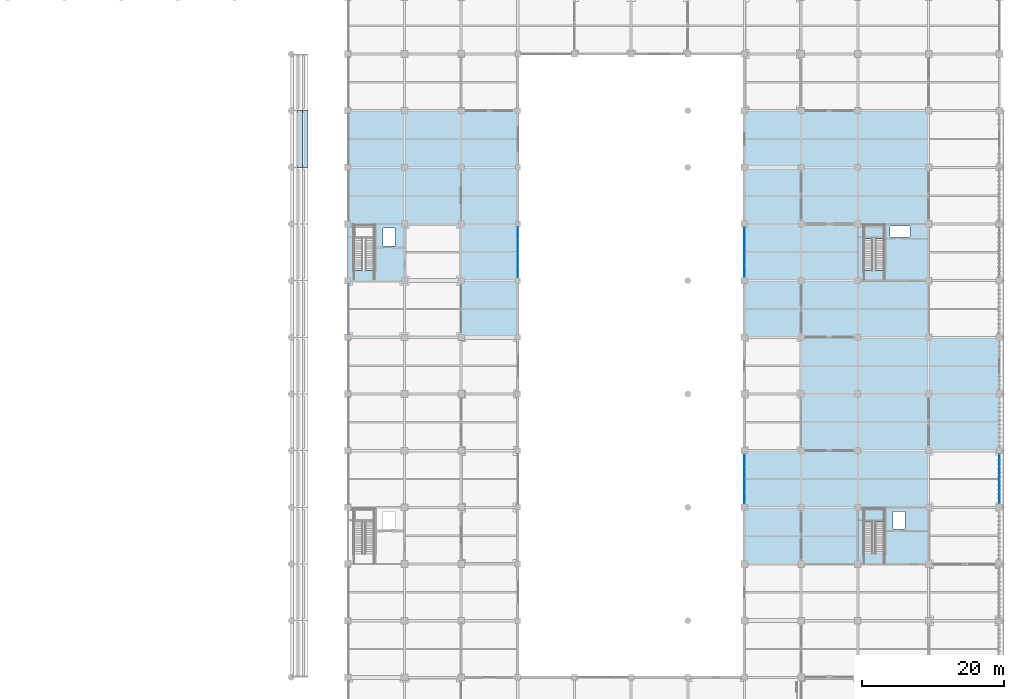
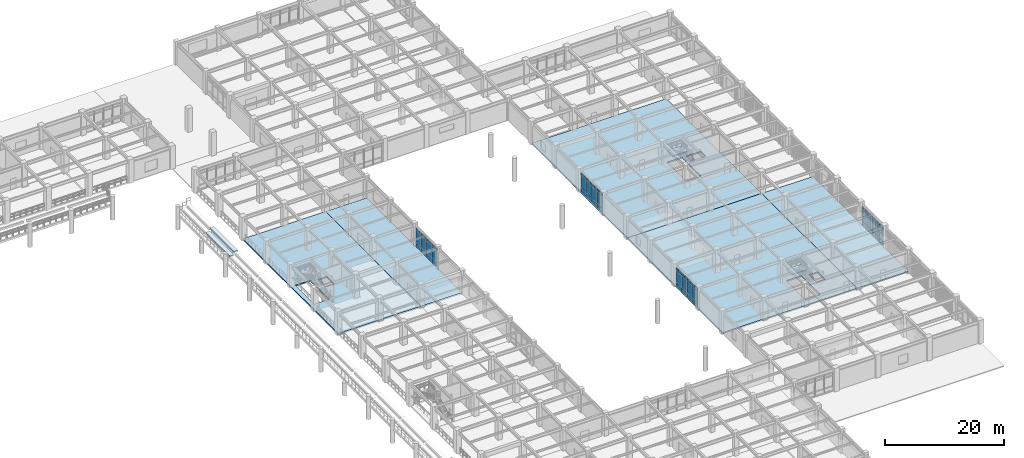
# One storey, part 61 of 109: 48 plates, 9 slabs, 6 elements without a shape of their own.
"""IFC4 building model written with IfcOpenShell, lengths in metres."""

from ifc_helpers import new_model, si_unit, direction, frame, origin, origin_2d, place, context, subcontext, project, spatial, polyline, rectangle, outline, extrude, material, layer, layer_set, type_object, element, aggregate, save


model = new_model("IFC4")

# Units and contexts
model_context = context("Model", 3, precision=1e-05, world=origin(), true_north=direction((0.0, 1.0)))
body_context = subcontext(model_context, "Body", "Model", "MODEL_VIEW")
ifc_project = project(units=[si_unit("LENGTHUNIT", "METRE"), si_unit("AREAUNIT", "SQUARE_METRE"), si_unit("VOLUMEUNIT", "CUBIC_METRE"), si_unit("PLANEANGLEUNIT", "RADIAN"), si_unit("MASSUNIT", "GRAM", prefix="KILO")], contexts=[model_context])

# Site, building, storey
site_placement = place(None, origin())
site = spatial("IfcSite", under=ifc_project, at=site_placement, CompositionType="ELEMENT")
building_placement = place(site_placement, origin())
building = spatial("IfcBuilding", under=site, at=building_placement, Name="Haebicheon Civic Stadium", CompositionType="ELEMENT")
storey_placement = place(building_placement, frame((0.0, 0.0, 9.60009765625)))
storey = spatial("IfcBuildingStorey", under=building, at=storey_placement, Name="L03", CompositionType="ELEMENT", Elevation=9.60009765625)

# Curtain wall, plates
ifc_material_1 = material(Name="Anodised aluminium and laminated glass", Category="aluminium")
ifc_layer_1 = layer(ifc_material_1, 0.179931640625, Name="Anodised aluminium and laminated glass")
ifc_layer_set_1 = layer_set([ifc_layer_1], Name="Anodised aluminium and laminated glass")
curtain_wall_type_1 = type_object("IfcCurtainWallType", Name="CW-7200x3930", PredefinedType="NOTDEFINED", material=ifc_layer_set_1)
curtain_wall_1_placement = place(storey_placement, origin())
curtain_wall_1 = element("IfcCurtainWall", 1, at=curtain_wall_1_placement, inside=storey, type_object=curtain_wall_type_1, material=ifc_layer_set_1, Name="L03 unitised curtain wall 089", PredefinedType="NOTDEFINED")
ifc_material_2 = material(Name="Double low-e laminated glass", Category="glass")
ifc_layer_2 = layer(ifc_material_2, 0.028076171875, Name="Double low-e laminated glass")
ifc_layer_set_2 = layer_set([ifc_layer_2], Name="Double low-e laminated glass")
plate_type_1 = type_object("IfcPlateType", Name="CWP-GLZ-28", PredefinedType="CURTAIN_PANEL", material=ifc_layer_set_2)
plate_1_placement = place(storey_placement, frame((168.0, 105.318115234375, 0.93505859375), z_axis=(0.0, 0.0, 1.0), x_axis=(0.0, 1.0, 0.0)))
plate_1 = element("IfcPlate", 2, at=plate_1_placement, type_object=plate_type_1, material=ifc_layer_set_2, Name="CW-L03-089 vision panel 1.2", PredefinedType="CURTAIN_PANEL", context=body_context, shape_type="SweptSolid", body=[
    extrude(rectangle(XDim=1.695068359375, YDim=0.028076171875, at=origin_2d()), origin(), (0.0, 0.0, 1.0), 2.409912109375),
])
plate_2_placement = place(storey_placement, frame((168.0, 107.10009765625, 0.93505859375), z_axis=(0.0, 0.0, 1.0), x_axis=(0.0, 1.0, 0.0)))
plate_2 = element("IfcPlate", 3, at=plate_2_placement, type_object=plate_type_1, material=ifc_layer_set_2, Name="CW-L03-089 vision panel 2.2", PredefinedType="CURTAIN_PANEL", context=body_context, shape_type="SweptSolid", body=[
    extrude(rectangle(XDim=1.72998046875, YDim=0.028076171875, at=origin_2d()), origin(), (0.0, 0.0, 1.0), 2.409912109375),
])
plate_3_placement = place(storey_placement, frame((168.0, 108.89990234375, 0.93505859375), z_axis=(0.0, 0.0, 1.0), x_axis=(0.0, 1.0, 0.0)))
plate_3 = element("IfcPlate", 4, at=plate_3_placement, type_object=plate_type_1, material=ifc_layer_set_2, Name="CW-L03-089 vision panel 3.2", PredefinedType="CURTAIN_PANEL", context=body_context, shape_type="SweptSolid", body=[
    extrude(rectangle(XDim=1.72998046875, YDim=0.028076171875, at=origin_2d()), origin(), (0.0, 0.0, 1.0), 2.409912109375),
])
plate_4_placement = place(storey_placement, frame((168.0, 110.681884765625, 0.93505859375), z_axis=(0.0, 0.0, 1.0), x_axis=(0.0, 1.0, 0.0)))
plate_4 = element("IfcPlate", 5, at=plate_4_placement, type_object=plate_type_1, material=ifc_layer_set_2, Name="CW-L03-089 vision panel 4.2", PredefinedType="CURTAIN_PANEL", context=body_context, shape_type="SweptSolid", body=[
    extrude(rectangle(XDim=1.695068359375, YDim=0.028076171875, at=origin_2d()), origin(), (0.0, 0.0, 1.0), 2.409912109375),
])

ifc_material_3 = material(Name="Anodised aluminium and laminated glass", Category="aluminium")
ifc_layer_3 = layer(ifc_material_3, 0.179931640625, Name="Anodised aluminium and laminated glass")
ifc_layer_set_3 = layer_set([ifc_layer_3], Name="Anodised aluminium and laminated glass")
curtain_wall_type_2 = type_object("IfcCurtainWallType", Name="CW-7050x3950", PredefinedType="NOTDEFINED", material=ifc_layer_set_3)
curtain_wall_2_placement = place(storey_placement, origin())
curtain_wall_2 = element("IfcCurtainWall", 6, at=curtain_wall_2_placement, inside=storey, type_object=curtain_wall_type_2, material=ifc_layer_set_3, Name="L03 unitised curtain wall 098", PredefinedType="NOTDEFINED")
plate_5_placement = place(storey_placement, frame((200.0, 73.3740234375, 0.93505859375), z_axis=(0.0, 0.0, 1.0), x_axis=(0.0, 1.0, 0.0)))
plate_5 = element("IfcPlate", 7, at=plate_5_placement, type_object=plate_type_1, material=ifc_layer_set_2, Name="CW-L03-098 vision panel 1.2", PredefinedType="CURTAIN_PANEL", context=body_context, shape_type="SweptSolid", body=[
    extrude(rectangle(XDim=1.656982421875, YDim=0.028076171875, at=origin_2d()), origin(), (0.0, 0.0, 1.0), 2.429931640625),
])
plate_6_placement = place(storey_placement, frame((200.0, 75.117919921875, 0.93505859375), z_axis=(0.0, 0.0, 1.0), x_axis=(0.0, 1.0, 0.0)))
plate_6 = element("IfcPlate", 8, at=plate_6_placement, type_object=plate_type_1, material=ifc_layer_set_2, Name="CW-L03-098 vision panel 2.2", PredefinedType="CURTAIN_PANEL", context=body_context, shape_type="SweptSolid", body=[
    extrude(rectangle(XDim=1.693115234375, YDim=0.028076171875, at=origin_2d()), origin(), (0.0, 0.0, 1.0), 2.429931640625),
])
plate_7_placement = place(storey_placement, frame((200.0, 76.882080078125, 0.93505859375), z_axis=(0.0, 0.0, 1.0), x_axis=(0.0, 1.0, 0.0)))
plate_7 = element("IfcPlate", 9, at=plate_7_placement, type_object=plate_type_1, material=ifc_layer_set_2, Name="CW-L03-098 vision panel 3.2", PredefinedType="CURTAIN_PANEL", context=body_context, shape_type="SweptSolid", body=[
    extrude(rectangle(XDim=1.693115234375, YDim=0.028076171875, at=origin_2d()), origin(), (0.0, 0.0, 1.0), 2.429931640625),
])
plate_8_placement = place(storey_placement, frame((200.0, 78.6259765625, 0.93505859375), z_axis=(0.0, 0.0, 1.0), x_axis=(0.0, 1.0, 0.0)))
plate_8 = element("IfcPlate", 10, at=plate_8_placement, type_object=plate_type_1, material=ifc_layer_set_2, Name="CW-L03-098 vision panel 4.2", PredefinedType="CURTAIN_PANEL", context=body_context, shape_type="SweptSolid", body=[
    extrude(rectangle(XDim=1.656982421875, YDim=0.028076171875, at=origin_2d()), origin(), (0.0, 0.0, 1.0), 2.429931640625),
])

curtain_wall_3_placement = place(storey_placement, origin())
curtain_wall_3 = element("IfcCurtainWall", 11, at=curtain_wall_3_placement, inside=storey, type_object=curtain_wall_type_2, material=ifc_layer_set_3, Name="L03 unitised curtain wall 099", PredefinedType="NOTDEFINED")
plate_9_placement = place(storey_placement, frame((200.0, 105.3740234375, 0.93505859375), z_axis=(0.0, 0.0, 1.0), x_axis=(0.0, 1.0, 0.0)))
plate_9 = element("IfcPlate", 12, at=plate_9_placement, type_object=plate_type_1, material=ifc_layer_set_2, Name="CW-L03-099 vision panel 1.2", PredefinedType="CURTAIN_PANEL", context=body_context, shape_type="SweptSolid", body=[
    extrude(rectangle(XDim=1.656982421875, YDim=0.028076171875, at=origin_2d()), origin(), (0.0, 0.0, 1.0), 2.429931640625),
])
plate_10_placement = place(storey_placement, frame((200.0, 107.117919921875, 0.93505859375), z_axis=(0.0, 0.0, 1.0), x_axis=(0.0, 1.0, 0.0)))
plate_10 = element("IfcPlate", 13, at=plate_10_placement, type_object=plate_type_1, material=ifc_layer_set_2, Name="CW-L03-099 vision panel 2.2", PredefinedType="CURTAIN_PANEL", context=body_context, shape_type="SweptSolid", body=[
    extrude(rectangle(XDim=1.693115234375, YDim=0.028076171875, at=origin_2d()), origin(), (0.0, 0.0, 1.0), 2.429931640625),
])
plate_11_placement = place(storey_placement, frame((200.0, 108.882080078125, 0.93505859375), z_axis=(0.0, 0.0, 1.0), x_axis=(0.0, 1.0, 0.0)))
plate_11 = element("IfcPlate", 14, at=plate_11_placement, type_object=plate_type_1, material=ifc_layer_set_2, Name="CW-L03-099 vision panel 3.2", PredefinedType="CURTAIN_PANEL", context=body_context, shape_type="SweptSolid", body=[
    extrude(rectangle(XDim=1.693115234375, YDim=0.028076171875, at=origin_2d()), origin(), (0.0, 0.0, 1.0), 2.429931640625),
])
plate_12_placement = place(storey_placement, frame((200.0, 110.6259765625, 0.93505859375), z_axis=(0.0, 0.0, 1.0), x_axis=(0.0, 1.0, 0.0)))
plate_12 = element("IfcPlate", 15, at=plate_12_placement, type_object=plate_type_1, material=ifc_layer_set_2, Name="CW-L03-099 vision panel 4.2", PredefinedType="CURTAIN_PANEL", context=body_context, shape_type="SweptSolid", body=[
    extrude(rectangle(XDim=1.656982421875, YDim=0.028076171875, at=origin_2d()), origin(), (0.0, 0.0, 1.0), 2.429931640625),
])

ifc_material_4 = material(Name="Anodised aluminium and laminated glass", Category="aluminium")
ifc_layer_4 = layer(ifc_material_4, 0.179931640625, Name="Anodised aluminium and laminated glass")
ifc_layer_set_4 = layer_set([ifc_layer_4], Name="Anodised aluminium and laminated glass")
curtain_wall_type_3 = type_object("IfcCurtainWallType", Name="CW-7050x3830", PredefinedType="NOTDEFINED", material=ifc_layer_set_4)
curtain_wall_4_placement = place(storey_placement, origin())
curtain_wall_4 = element("IfcCurtainWall", 16, at=curtain_wall_4_placement, inside=storey, type_object=curtain_wall_type_3, material=ifc_layer_set_4, Name="L03 unitised curtain wall 102", PredefinedType="NOTDEFINED")
plate_13_placement = place(storey_placement, frame((236.0, 73.3740234375, 0.934814453125), z_axis=(0.0, 0.0, 1.0), x_axis=(0.0, 1.0, 0.0)))
plate_13 = element("IfcPlate", 17, at=plate_13_placement, type_object=plate_type_1, material=ifc_layer_set_2, Name="CW-L03-102 vision panel 1.2", PredefinedType="CURTAIN_PANEL", context=body_context, shape_type="SweptSolid", body=[
    extrude(rectangle(XDim=1.656982421875, YDim=0.028076171875, at=origin_2d()), origin(), (0.0, 0.0, 1.0), 2.31005859375),
])
plate_14_placement = place(storey_placement, frame((236.0, 75.117919921875, 0.934814453125), z_axis=(0.0, 0.0, 1.0), x_axis=(0.0, 1.0, 0.0)))
plate_14 = element("IfcPlate", 18, at=plate_14_placement, type_object=plate_type_1, material=ifc_layer_set_2, Name="CW-L03-102 vision panel 2.2", PredefinedType="CURTAIN_PANEL", context=body_context, shape_type="SweptSolid", body=[
    extrude(rectangle(XDim=1.693115234375, YDim=0.028076171875, at=origin_2d()), origin(), (0.0, 0.0, 1.0), 2.31005859375),
])
plate_15_placement = place(storey_placement, frame((236.0, 76.882080078125, 0.934814453125), z_axis=(0.0, 0.0, 1.0), x_axis=(0.0, 1.0, 0.0)))
plate_15 = element("IfcPlate", 19, at=plate_15_placement, type_object=plate_type_1, material=ifc_layer_set_2, Name="CW-L03-102 vision panel 3.2", PredefinedType="CURTAIN_PANEL", context=body_context, shape_type="SweptSolid", body=[
    extrude(rectangle(XDim=1.693115234375, YDim=0.028076171875, at=origin_2d()), origin(), (0.0, 0.0, 1.0), 2.31005859375),
])
plate_16_placement = place(storey_placement, frame((236.0, 78.6259765625, 0.934814453125), z_axis=(0.0, 0.0, 1.0), x_axis=(0.0, 1.0, 0.0)))
plate_16 = element("IfcPlate", 20, at=plate_16_placement, type_object=plate_type_1, material=ifc_layer_set_2, Name="CW-L03-102 vision panel 4.2", PredefinedType="CURTAIN_PANEL", context=body_context, shape_type="SweptSolid", body=[
    extrude(rectangle(XDim=1.656982421875, YDim=0.028076171875, at=origin_2d()), origin(), (0.0, 0.0, 1.0), 2.31005859375),
])

# Plate
ifc_material_5 = material(Name="Anodised aluminium 6063-T6", Category="aluminium")
ifc_layer_5 = layer(ifc_material_5, 0.0439453125, Name="Anodised aluminium 6063-T6")
ifc_layer_set_5 = layer_set([ifc_layer_5], Name="Anodised aluminium 6063-T6")
plate_type_2 = type_object("IfcPlateType", Name="CWP-SPD-44", PredefinedType="CURTAIN_PANEL", material=ifc_layer_set_5)
plate_17_placement = place(storey_placement, frame((168.0, 105.318115234375, 0.034912109375), z_axis=(0.0, 0.0, 1.0), x_axis=(0.0, 1.0, 0.0)))
plate_17 = element("IfcPlate", 21, at=plate_17_placement, type_object=plate_type_2, material=ifc_layer_set_5, Name="CW-L03-089 spandrel panel 1.1", PredefinedType="CURTAIN_PANEL", context=body_context, shape_type="SweptSolid", body=[
    extrude(rectangle(XDim=1.695068359375, YDim=0.0439453125, at=origin_2d()), origin(), (0.0, 0.0, 1.0), 0.830078125),
])

plate_18_placement = place(storey_placement, frame((168.0, 105.318115234375, 3.414794921875), z_axis=(0.0, 0.0, 1.0), x_axis=(0.0, 1.0, 0.0)))
plate_18 = element("IfcPlate", 22, at=plate_18_placement, type_object=plate_type_2, material=ifc_layer_set_5, Name="CW-L03-089 spandrel panel 1.3", PredefinedType="CURTAIN_PANEL", context=body_context, shape_type="SweptSolid", body=[
    extrude(rectangle(XDim=1.695068359375, YDim=0.0439453125, at=origin_2d()), origin(), (0.0, 0.0, 1.0), 0.47998046875),
])

plate_19_placement = place(storey_placement, frame((168.0, 107.10009765625, 0.034912109375), z_axis=(0.0, 0.0, 1.0), x_axis=(0.0, 1.0, 0.0)))
plate_19 = element("IfcPlate", 23, at=plate_19_placement, type_object=plate_type_2, material=ifc_layer_set_5, Name="CW-L03-089 spandrel panel 2.1", PredefinedType="CURTAIN_PANEL", context=body_context, shape_type="SweptSolid", body=[
    extrude(rectangle(XDim=1.72998046875, YDim=0.0439453125, at=origin_2d()), origin(), (0.0, 0.0, 1.0), 0.830078125),
])

plate_20_placement = place(storey_placement, frame((168.0, 107.10009765625, 3.414794921875), z_axis=(0.0, 0.0, 1.0), x_axis=(0.0, 1.0, 0.0)))
plate_20 = element("IfcPlate", 24, at=plate_20_placement, type_object=plate_type_2, material=ifc_layer_set_5, Name="CW-L03-089 spandrel panel 2.3", PredefinedType="CURTAIN_PANEL", context=body_context, shape_type="SweptSolid", body=[
    extrude(rectangle(XDim=1.72998046875, YDim=0.0439453125, at=origin_2d()), origin(), (0.0, 0.0, 1.0), 0.47998046875),
])

plate_21_placement = place(storey_placement, frame((168.0, 108.89990234375, 0.034912109375), z_axis=(0.0, 0.0, 1.0), x_axis=(0.0, 1.0, 0.0)))
plate_21 = element("IfcPlate", 25, at=plate_21_placement, type_object=plate_type_2, material=ifc_layer_set_5, Name="CW-L03-089 spandrel panel 3.1", PredefinedType="CURTAIN_PANEL", context=body_context, shape_type="SweptSolid", body=[
    extrude(rectangle(XDim=1.72998046875, YDim=0.0439453125, at=origin_2d()), origin(), (0.0, 0.0, 1.0), 0.830078125),
])

plate_22_placement = place(storey_placement, frame((168.0, 108.89990234375, 3.414794921875), z_axis=(0.0, 0.0, 1.0), x_axis=(0.0, 1.0, 0.0)))
plate_22 = element("IfcPlate", 26, at=plate_22_placement, type_object=plate_type_2, material=ifc_layer_set_5, Name="CW-L03-089 spandrel panel 3.3", PredefinedType="CURTAIN_PANEL", context=body_context, shape_type="SweptSolid", body=[
    extrude(rectangle(XDim=1.72998046875, YDim=0.0439453125, at=origin_2d()), origin(), (0.0, 0.0, 1.0), 0.47998046875),
])

plate_23_placement = place(storey_placement, frame((168.0, 110.681884765625, 0.034912109375), z_axis=(0.0, 0.0, 1.0), x_axis=(0.0, 1.0, 0.0)))
plate_23 = element("IfcPlate", 27, at=plate_23_placement, type_object=plate_type_2, material=ifc_layer_set_5, Name="CW-L03-089 spandrel panel 4.1", PredefinedType="CURTAIN_PANEL", context=body_context, shape_type="SweptSolid", body=[
    extrude(rectangle(XDim=1.695068359375, YDim=0.0439453125, at=origin_2d()), origin(), (0.0, 0.0, 1.0), 0.830078125),
])

plate_24_placement = place(storey_placement, frame((168.0, 110.681884765625, 3.414794921875), z_axis=(0.0, 0.0, 1.0), x_axis=(0.0, 1.0, 0.0)))
plate_24 = element("IfcPlate", 28, at=plate_24_placement, type_object=plate_type_2, material=ifc_layer_set_5, Name="CW-L03-089 spandrel panel 4.3", PredefinedType="CURTAIN_PANEL", context=body_context, shape_type="SweptSolid", body=[
    extrude(rectangle(XDim=1.695068359375, YDim=0.0439453125, at=origin_2d()), origin(), (0.0, 0.0, 1.0), 0.47998046875),
])

aggregate(curtain_wall_1, [plate_17, plate_1, plate_18, plate_19, plate_2, plate_20, plate_21, plate_3, plate_22, plate_23, plate_4, plate_24])

plate_25_placement = place(storey_placement, frame((200.0, 73.3740234375, 0.034912109375), z_axis=(0.0, 0.0, 1.0), x_axis=(0.0, 1.0, 0.0)))
plate_25 = element("IfcPlate", 29, at=plate_25_placement, type_object=plate_type_2, material=ifc_layer_set_5, Name="CW-L03-098 spandrel panel 1.1", PredefinedType="CURTAIN_PANEL", context=body_context, shape_type="SweptSolid", body=[
    extrude(rectangle(XDim=1.656982421875, YDim=0.0439453125, at=origin_2d()), origin(), (0.0, 0.0, 1.0), 0.830078125),
])

plate_26_placement = place(storey_placement, frame((200.0, 73.3740234375, 3.434814453125), z_axis=(0.0, 0.0, 1.0), x_axis=(0.0, 1.0, 0.0)))
plate_26 = element("IfcPlate", 30, at=plate_26_placement, type_object=plate_type_2, material=ifc_layer_set_5, Name="CW-L03-098 spandrel panel 1.3", PredefinedType="CURTAIN_PANEL", context=body_context, shape_type="SweptSolid", body=[
    extrude(rectangle(XDim=1.656982421875, YDim=0.0439453125, at=origin_2d()), origin(), (0.0, 0.0, 1.0), 0.47998046875),
])

plate_27_placement = place(storey_placement, frame((200.0, 75.117919921875, 0.034912109375), z_axis=(0.0, 0.0, 1.0), x_axis=(0.0, 1.0, 0.0)))
plate_27 = element("IfcPlate", 31, at=plate_27_placement, type_object=plate_type_2, material=ifc_layer_set_5, Name="CW-L03-098 spandrel panel 2.1", PredefinedType="CURTAIN_PANEL", context=body_context, shape_type="SweptSolid", body=[
    extrude(rectangle(XDim=1.693115234375, YDim=0.0439453125, at=origin_2d()), origin(), (0.0, 0.0, 1.0), 0.830078125),
])

plate_28_placement = place(storey_placement, frame((200.0, 75.117919921875, 3.434814453125), z_axis=(0.0, 0.0, 1.0), x_axis=(0.0, 1.0, 0.0)))
plate_28 = element("IfcPlate", 32, at=plate_28_placement, type_object=plate_type_2, material=ifc_layer_set_5, Name="CW-L03-098 spandrel panel 2.3", PredefinedType="CURTAIN_PANEL", context=body_context, shape_type="SweptSolid", body=[
    extrude(rectangle(XDim=1.693115234375, YDim=0.0439453125, at=origin_2d()), origin(), (0.0, 0.0, 1.0), 0.47998046875),
])

plate_29_placement = place(storey_placement, frame((200.0, 76.882080078125, 0.034912109375), z_axis=(0.0, 0.0, 1.0), x_axis=(0.0, 1.0, 0.0)))
plate_29 = element("IfcPlate", 33, at=plate_29_placement, type_object=plate_type_2, material=ifc_layer_set_5, Name="CW-L03-098 spandrel panel 3.1", PredefinedType="CURTAIN_PANEL", context=body_context, shape_type="SweptSolid", body=[
    extrude(rectangle(XDim=1.693115234375, YDim=0.0439453125, at=origin_2d()), origin(), (0.0, 0.0, 1.0), 0.830078125),
])

plate_30_placement = place(storey_placement, frame((200.0, 76.882080078125, 3.434814453125), z_axis=(0.0, 0.0, 1.0), x_axis=(0.0, 1.0, 0.0)))
plate_30 = element("IfcPlate", 34, at=plate_30_placement, type_object=plate_type_2, material=ifc_layer_set_5, Name="CW-L03-098 spandrel panel 3.3", PredefinedType="CURTAIN_PANEL", context=body_context, shape_type="SweptSolid", body=[
    extrude(rectangle(XDim=1.693115234375, YDim=0.0439453125, at=origin_2d()), origin(), (0.0, 0.0, 1.0), 0.47998046875),
])

plate_31_placement = place(storey_placement, frame((200.0, 78.6259765625, 0.034912109375), z_axis=(0.0, 0.0, 1.0), x_axis=(0.0, 1.0, 0.0)))
plate_31 = element("IfcPlate", 35, at=plate_31_placement, type_object=plate_type_2, material=ifc_layer_set_5, Name="CW-L03-098 spandrel panel 4.1", PredefinedType="CURTAIN_PANEL", context=body_context, shape_type="SweptSolid", body=[
    extrude(rectangle(XDim=1.656982421875, YDim=0.0439453125, at=origin_2d()), origin(), (0.0, 0.0, 1.0), 0.830078125),
])

plate_32_placement = place(storey_placement, frame((200.0, 78.6259765625, 3.434814453125), z_axis=(0.0, 0.0, 1.0), x_axis=(0.0, 1.0, 0.0)))
plate_32 = element("IfcPlate", 36, at=plate_32_placement, type_object=plate_type_2, material=ifc_layer_set_5, Name="CW-L03-098 spandrel panel 4.3", PredefinedType="CURTAIN_PANEL", context=body_context, shape_type="SweptSolid", body=[
    extrude(rectangle(XDim=1.656982421875, YDim=0.0439453125, at=origin_2d()), origin(), (0.0, 0.0, 1.0), 0.47998046875),
])

aggregate(curtain_wall_2, [plate_25, plate_5, plate_26, plate_27, plate_6, plate_28, plate_29, plate_7, plate_30, plate_31, plate_8, plate_32])

plate_33_placement = place(storey_placement, frame((200.0, 105.3740234375, 0.034912109375), z_axis=(0.0, 0.0, 1.0), x_axis=(0.0, 1.0, 0.0)))
plate_33 = element("IfcPlate", 37, at=plate_33_placement, type_object=plate_type_2, material=ifc_layer_set_5, Name="CW-L03-099 spandrel panel 1.1", PredefinedType="CURTAIN_PANEL", context=body_context, shape_type="SweptSolid", body=[
    extrude(rectangle(XDim=1.656982421875, YDim=0.0439453125, at=origin_2d()), origin(), (0.0, 0.0, 1.0), 0.830078125),
])

plate_34_placement = place(storey_placement, frame((200.0, 105.3740234375, 3.434814453125), z_axis=(0.0, 0.0, 1.0), x_axis=(0.0, 1.0, 0.0)))
plate_34 = element("IfcPlate", 38, at=plate_34_placement, type_object=plate_type_2, material=ifc_layer_set_5, Name="CW-L03-099 spandrel panel 1.3", PredefinedType="CURTAIN_PANEL", context=body_context, shape_type="SweptSolid", body=[
    extrude(rectangle(XDim=1.656982421875, YDim=0.0439453125, at=origin_2d()), origin(), (0.0, 0.0, 1.0), 0.47998046875),
])

plate_35_placement = place(storey_placement, frame((200.0, 107.117919921875, 0.034912109375), z_axis=(0.0, 0.0, 1.0), x_axis=(0.0, 1.0, 0.0)))
plate_35 = element("IfcPlate", 39, at=plate_35_placement, type_object=plate_type_2, material=ifc_layer_set_5, Name="CW-L03-099 spandrel panel 2.1", PredefinedType="CURTAIN_PANEL", context=body_context, shape_type="SweptSolid", body=[
    extrude(rectangle(XDim=1.693115234375, YDim=0.0439453125, at=origin_2d()), origin(), (0.0, 0.0, 1.0), 0.830078125),
])

plate_36_placement = place(storey_placement, frame((200.0, 107.117919921875, 3.434814453125), z_axis=(0.0, 0.0, 1.0), x_axis=(0.0, 1.0, 0.0)))
plate_36 = element("IfcPlate", 40, at=plate_36_placement, type_object=plate_type_2, material=ifc_layer_set_5, Name="CW-L03-099 spandrel panel 2.3", PredefinedType="CURTAIN_PANEL", context=body_context, shape_type="SweptSolid", body=[
    extrude(rectangle(XDim=1.693115234375, YDim=0.0439453125, at=origin_2d()), origin(), (0.0, 0.0, 1.0), 0.47998046875),
])

plate_37_placement = place(storey_placement, frame((200.0, 108.882080078125, 0.034912109375), z_axis=(0.0, 0.0, 1.0), x_axis=(0.0, 1.0, 0.0)))
plate_37 = element("IfcPlate", 41, at=plate_37_placement, type_object=plate_type_2, material=ifc_layer_set_5, Name="CW-L03-099 spandrel panel 3.1", PredefinedType="CURTAIN_PANEL", context=body_context, shape_type="SweptSolid", body=[
    extrude(rectangle(XDim=1.693115234375, YDim=0.0439453125, at=origin_2d()), origin(), (0.0, 0.0, 1.0), 0.830078125),
])

plate_38_placement = place(storey_placement, frame((200.0, 108.882080078125, 3.434814453125), z_axis=(0.0, 0.0, 1.0), x_axis=(0.0, 1.0, 0.0)))
plate_38 = element("IfcPlate", 42, at=plate_38_placement, type_object=plate_type_2, material=ifc_layer_set_5, Name="CW-L03-099 spandrel panel 3.3", PredefinedType="CURTAIN_PANEL", context=body_context, shape_type="SweptSolid", body=[
    extrude(rectangle(XDim=1.693115234375, YDim=0.0439453125, at=origin_2d()), origin(), (0.0, 0.0, 1.0), 0.47998046875),
])

plate_39_placement = place(storey_placement, frame((200.0, 110.6259765625, 0.034912109375), z_axis=(0.0, 0.0, 1.0), x_axis=(0.0, 1.0, 0.0)))
plate_39 = element("IfcPlate", 43, at=plate_39_placement, type_object=plate_type_2, material=ifc_layer_set_5, Name="CW-L03-099 spandrel panel 4.1", PredefinedType="CURTAIN_PANEL", context=body_context, shape_type="SweptSolid", body=[
    extrude(rectangle(XDim=1.656982421875, YDim=0.0439453125, at=origin_2d()), origin(), (0.0, 0.0, 1.0), 0.830078125),
])

plate_40_placement = place(storey_placement, frame((200.0, 110.6259765625, 3.434814453125), z_axis=(0.0, 0.0, 1.0), x_axis=(0.0, 1.0, 0.0)))
plate_40 = element("IfcPlate", 44, at=plate_40_placement, type_object=plate_type_2, material=ifc_layer_set_5, Name="CW-L03-099 spandrel panel 4.3", PredefinedType="CURTAIN_PANEL", context=body_context, shape_type="SweptSolid", body=[
    extrude(rectangle(XDim=1.656982421875, YDim=0.0439453125, at=origin_2d()), origin(), (0.0, 0.0, 1.0), 0.47998046875),
])

aggregate(curtain_wall_3, [plate_33, plate_9, plate_34, plate_35, plate_10, plate_36, plate_37, plate_11, plate_38, plate_39, plate_12, plate_40])

plate_41_placement = place(storey_placement, frame((236.0, 73.3740234375, 0.034912109375), z_axis=(0.0, 0.0, 1.0), x_axis=(0.0, 1.0, 0.0)))
plate_41 = element("IfcPlate", 45, at=plate_41_placement, type_object=plate_type_2, material=ifc_layer_set_5, Name="CW-L03-102 spandrel panel 1.1", PredefinedType="CURTAIN_PANEL", context=body_context, shape_type="SweptSolid", body=[
    extrude(rectangle(XDim=1.656982421875, YDim=0.0439453125, at=origin_2d()), origin(), (0.0, 0.0, 1.0), 0.830078125),
])

plate_42_placement = place(storey_placement, frame((236.0, 73.3740234375, 3.31494140625), z_axis=(0.0, 0.0, 1.0), x_axis=(0.0, 1.0, 0.0)))
plate_42 = element("IfcPlate", 46, at=plate_42_placement, type_object=plate_type_2, material=ifc_layer_set_5, Name="CW-L03-102 spandrel panel 1.3", PredefinedType="CURTAIN_PANEL", context=body_context, shape_type="SweptSolid", body=[
    extrude(rectangle(XDim=1.656982421875, YDim=0.0439453125, at=origin_2d()), origin(), (0.0, 0.0, 1.0), 0.47998046875),
])

plate_43_placement = place(storey_placement, frame((236.0, 75.117919921875, 0.034912109375), z_axis=(0.0, 0.0, 1.0), x_axis=(0.0, 1.0, 0.0)))
plate_43 = element("IfcPlate", 47, at=plate_43_placement, type_object=plate_type_2, material=ifc_layer_set_5, Name="CW-L03-102 spandrel panel 2.1", PredefinedType="CURTAIN_PANEL", context=body_context, shape_type="SweptSolid", body=[
    extrude(rectangle(XDim=1.693115234375, YDim=0.0439453125, at=origin_2d()), origin(), (0.0, 0.0, 1.0), 0.830078125),
])

plate_44_placement = place(storey_placement, frame((236.0, 75.117919921875, 3.31494140625), z_axis=(0.0, 0.0, 1.0), x_axis=(0.0, 1.0, 0.0)))
plate_44 = element("IfcPlate", 48, at=plate_44_placement, type_object=plate_type_2, material=ifc_layer_set_5, Name="CW-L03-102 spandrel panel 2.3", PredefinedType="CURTAIN_PANEL", context=body_context, shape_type="SweptSolid", body=[
    extrude(rectangle(XDim=1.693115234375, YDim=0.0439453125, at=origin_2d()), origin(), (0.0, 0.0, 1.0), 0.47998046875),
])

plate_45_placement = place(storey_placement, frame((236.0, 76.882080078125, 0.034912109375), z_axis=(0.0, 0.0, 1.0), x_axis=(0.0, 1.0, 0.0)))
plate_45 = element("IfcPlate", 49, at=plate_45_placement, type_object=plate_type_2, material=ifc_layer_set_5, Name="CW-L03-102 spandrel panel 3.1", PredefinedType="CURTAIN_PANEL", context=body_context, shape_type="SweptSolid", body=[
    extrude(rectangle(XDim=1.693115234375, YDim=0.0439453125, at=origin_2d()), origin(), (0.0, 0.0, 1.0), 0.830078125),
])

plate_46_placement = place(storey_placement, frame((236.0, 76.882080078125, 3.31494140625), z_axis=(0.0, 0.0, 1.0), x_axis=(0.0, 1.0, 0.0)))
plate_46 = element("IfcPlate", 50, at=plate_46_placement, type_object=plate_type_2, material=ifc_layer_set_5, Name="CW-L03-102 spandrel panel 3.3", PredefinedType="CURTAIN_PANEL", context=body_context, shape_type="SweptSolid", body=[
    extrude(rectangle(XDim=1.693115234375, YDim=0.0439453125, at=origin_2d()), origin(), (0.0, 0.0, 1.0), 0.47998046875),
])

plate_47_placement = place(storey_placement, frame((236.0, 78.6259765625, 0.034912109375), z_axis=(0.0, 0.0, 1.0), x_axis=(0.0, 1.0, 0.0)))
plate_47 = element("IfcPlate", 51, at=plate_47_placement, type_object=plate_type_2, material=ifc_layer_set_5, Name="CW-L03-102 spandrel panel 4.1", PredefinedType="CURTAIN_PANEL", context=body_context, shape_type="SweptSolid", body=[
    extrude(rectangle(XDim=1.656982421875, YDim=0.0439453125, at=origin_2d()), origin(), (0.0, 0.0, 1.0), 0.830078125),
])

plate_48_placement = place(storey_placement, frame((236.0, 78.6259765625, 3.31494140625), z_axis=(0.0, 0.0, 1.0), x_axis=(0.0, 1.0, 0.0)))
plate_48 = element("IfcPlate", 52, at=plate_48_placement, type_object=plate_type_2, material=ifc_layer_set_5, Name="CW-L03-102 spandrel panel 4.3", PredefinedType="CURTAIN_PANEL", context=body_context, shape_type="SweptSolid", body=[
    extrude(rectangle(XDim=1.656982421875, YDim=0.0439453125, at=origin_2d()), origin(), (0.0, 0.0, 1.0), 0.47998046875),
])

aggregate(curtain_wall_4, [plate_41, plate_13, plate_42, plate_43, plate_14, plate_44, plate_45, plate_15, plate_46, plate_47, plate_16, plate_48])

# Slabs
ifc_material_6 = material(Name="Concrete C40/50", Category="concrete")
ifc_layer_6 = layer(ifc_material_6, 0.280029296875, Name="Concrete C40/50")
ifc_layer_set_6 = layer_set([ifc_layer_6], Name="Concrete C40/50")
slab_type_1 = type_object("IfcSlabType", Name="SLB-FLR-280", PredefinedType="FLOOR", material=ifc_layer_set_6)
slab_1_placement = place(storey_placement, frame((0.0, 0.0, -0.280029296875)))
element("IfcSlab", 53, at=slab_1_placement, inside=storey, type_object=slab_type_1, material=ifc_layer_set_6, Name="L03 V2 structural slab 10.1", PredefinedType="FLOOR", context=body_context, shape_type="SweptSolid", body=[
    extrude(outline(polyline([(144.0, 112.0), (144.0, 120.0), (144.0, 128.0), (152.0, 128.0), (160.0, 128.0), (160.0, 120.0), (160.0, 112.0), (160.0, 104.0), (160.0, 96.0), (152.0, 96.0), (144.0, 96.0), (144.0, 104.0), (144.0, 112.0)]), holes=[polyline([(144.840087890625, 105.4599609375), (147.739990234375, 105.4599609375), (147.739990234375, 111.840087890625), (144.840087890625, 111.840087890625), (144.840087890625, 105.4599609375)]), polyline([(148.969970703125, 108.929931640625), (150.669921875, 108.929931640625), (150.669921875, 111.429931640625), (148.969970703125, 111.429931640625), (148.969970703125, 108.929931640625)])]), origin(), (0.0, 0.0, 1.0), 0.280029296875),
])
slab_2_placement = place(storey_placement, frame((0.0, 0.0, -0.280029296875)))
element("IfcSlab", 54, at=slab_2_placement, inside=storey, type_object=slab_type_1, material=ifc_layer_set_6, Name="L03 V3 structural slab 2.1", PredefinedType="FLOOR", context=body_context, shape_type="SweptSolid", body=[
    extrude(outline(polyline([(200.0, 80.0), (200.0, 88.0), (200.0, 96.0), (208.0, 96.0), (216.0, 96.0), (226.0, 96.0), (226.0, 88.0), (226.0, 80.0), (226.0, 72.0), (226.0, 64.0), (216.0, 64.0), (208.0, 64.0), (200.0, 64.0), (200.0, 72.0), (200.0, 80.0)]), holes=[polyline([(216.840087890625, 65.4599609375), (219.739990234375, 65.4599609375), (219.739990234375, 71.840087890625), (216.840087890625, 71.840087890625), (216.840087890625, 65.4599609375)]), polyline([(220.969970703125, 68.929931640625), (222.669921875, 68.929931640625), (222.669921875, 71.429931640625), (220.969970703125, 71.429931640625), (220.969970703125, 68.929931640625)])]), origin(), (0.0, 0.0, 1.0), 0.280029296875),
])
slab_3_placement = place(storey_placement, frame((0.0, 0.0, -0.280029296875)))
element("IfcSlab", 55, at=slab_3_placement, inside=storey, type_object=slab_type_1, material=ifc_layer_set_6, Name="L03 V3 structural slab 3.1", PredefinedType="FLOOR", context=body_context, shape_type="SweptSolid", body=[
    extrude(outline(polyline([(200.0, 112.0), (200.0, 120.0), (200.0, 128.0), (208.0, 128.0), (216.0, 128.0), (226.0, 128.0), (226.0, 120.0), (226.0, 112.0), (226.0, 104.0), (226.0, 96.0), (216.0, 96.0), (208.0, 96.0), (200.0, 96.0), (200.0, 104.0), (200.0, 112.0)]), holes=[polyline([(216.840087890625, 105.4599609375), (219.739990234375, 105.4599609375), (219.739990234375, 111.840087890625), (216.840087890625, 111.840087890625), (216.840087890625, 105.4599609375)]), polyline([(220.550048828125, 110.14990234375), (223.35009765625, 110.14990234375), (223.35009765625, 111.75), (220.550048828125, 111.75), (220.550048828125, 110.14990234375)])]), origin(), (0.0, 0.0, 1.0), 0.280029296875),
])
slab_4_placement = place(storey_placement, frame((0.0, 0.0, -0.280029296875)))
element("IfcSlab", 56, at=slab_4_placement, inside=storey, type_object=slab_type_1, material=ifc_layer_set_6, Name="L03 V3 structural slab 6.1", PredefinedType="FLOOR", context=body_context, shape_type="SweptSolid", body=[
    extrude(outline(polyline([(226.0, 64.0), (226.0, 72.0), (226.0, 80.0), (226.0, 88.0), (226.0, 96.0), (236.0, 96.0), (236.0, 88.0), (236.0, 80.0), (236.0, 72.0), (236.0, 64.0), (226.0, 64.0)])), origin(), (0.0, 0.0, 1.0), 0.280029296875),
])
slab_5_placement = place(storey_placement, frame((0.0, 0.0, -0.280029296875)))
element("IfcSlab", 57, at=slab_5_placement, inside=storey, type_object=slab_type_1, material=ifc_layer_set_6, Name="L03 V4 structural slab 4.1", PredefinedType="FLOOR", context=body_context, shape_type="SweptSolid", body=[
    extrude(outline(polyline([(160.0, 96.0), (160.0, 104.0), (160.0, 112.0), (160.0, 120.0), (160.0, 128.0), (168.0, 128.0), (168.0, 120.0), (168.0, 112.0), (168.0, 104.0), (168.0, 96.0), (160.0, 96.0)])), origin(), (0.0, 0.0, 1.0), 0.280029296875),
])

# Stair, slab
ifc_material_7 = material(Name="Concrete C40/50", Category="concrete")
stair_type_1 = type_object("IfcStairType", Name="STR-DL-W128-H48", PredefinedType="HALF_TURN_STAIR", material=ifc_material_7)
stair_1_placement = place(storey_placement, origin())
stair_1 = element("IfcStair", 58, at=stair_1_placement, inside=storey, type_object=stair_type_1, material=ifc_material_7, Name="L03 Escape stair ST-12", PredefinedType="HALF_TURN_STAIR")
ifc_material_8 = material(Name="Concrete C40/50", Category="concrete")
ifc_layer_7 = layer(ifc_material_8, 0.199951171875, Name="Concrete C40/50")
ifc_layer_set_7 = layer_set([ifc_layer_7], Name="Concrete C40/50")
slab_type_2 = type_object("IfcSlabType", Name="SLB-LND-200", PredefinedType="LANDING", material=ifc_layer_set_7)
slab_6_placement = place(storey_placement, frame((0.0, 0.0, 2.199951171875)))
slab_6 = element("IfcSlab", 59, at=slab_6_placement, type_object=slab_type_2, material=ifc_layer_set_7, Name="ST-12 landing 1", PredefinedType="LANDING", context=body_context, shape_type="SweptSolid", body=[
    extrude(outline(polyline([(219.739990234375, 69.949951171875), (219.739990234375, 71.840087890625), (216.840087890625, 71.840087890625), (216.840087890625, 69.949951171875), (219.739990234375, 69.949951171875)])), origin(), (0.0, 0.0, 1.0), 0.199951171875),
])
aggregate(stair_1, [slab_6])

ifc_material_9 = material(Name="Concrete C40/50", Category="concrete")
stair_type_2 = type_object("IfcStairType", Name="STR-DL-W126-H48", PredefinedType="HALF_TURN_STAIR", material=ifc_material_9)
stair_2_placement = place(storey_placement, origin())
stair_2 = element("IfcStair", 60, at=stair_2_placement, inside=storey, type_object=stair_type_2, material=ifc_material_9, Name="L03 Escape stair ST-13", PredefinedType="HALF_TURN_STAIR")
slab_7_placement = place(storey_placement, frame((0.0, 0.0, 2.199951171875)))
slab_7 = element("IfcSlab", 61, at=slab_7_placement, type_object=slab_type_2, material=ifc_layer_set_7, Name="ST-13 landing 1", PredefinedType="LANDING", context=body_context, shape_type="SweptSolid", body=[
    extrude(outline(polyline([(219.739990234375, 109.949951171875), (219.739990234375, 111.840087890625), (216.840087890625, 111.840087890625), (216.840087890625, 109.949951171875), (219.739990234375, 109.949951171875)])), origin(), (0.0, 0.0, 1.0), 0.199951171875),
])
aggregate(stair_2, [slab_7])

# Slabs
ifc_material_10 = material(Name="Precast concrete C40/50", Category="concrete")
ifc_layer_8 = layer(ifc_material_10, 0.239990234375, Name="Precast concrete C40/50")
ifc_layer_set_8 = layer_set([ifc_layer_8], Name="Precast concrete C40/50")
slab_type_3 = type_object("IfcSlabType", Name="SLB-TIER-240", PredefinedType="USERDEFINED", material=ifc_layer_set_8)
slab_8_placement = place(storey_placement, frame((0.0, 0.0, 3.60400390625)))
element("IfcSlab", 62, at=slab_8_placement, inside=storey, type_object=slab_type_3, material=ifc_layer_set_8, Name="TIER-E-U precast seating tier bay 10 row-band 2", ObjectType="SEATING TIER", PredefinedType="USERDEFINED", context=body_context, shape_type="SweptSolid", body=[
    extrude(outline(polyline([(136.800048828125, 120.0), (137.60009765625, 120.0), (137.60009765625, 128.0), (136.800048828125, 128.0), (136.800048828125, 120.0)])), origin(), (0.0, 0.0, 1.0), 0.239990234375),
])
slab_9_placement = place(storey_placement, frame((0.0, 0.0, 4.2490234375)))
element("IfcSlab", 63, at=slab_9_placement, inside=storey, type_object=slab_type_3, material=ifc_layer_set_8, Name="TIER-E-U precast seating tier bay 10 row-band 3", ObjectType="SEATING TIER", PredefinedType="USERDEFINED", context=body_context, shape_type="SweptSolid", body=[
    extrude(outline(polyline([(137.60009765625, 120.0), (138.39990234375, 120.0), (138.39990234375, 128.0), (137.60009765625, 128.0), (137.60009765625, 120.0)])), origin(), (0.0, 0.0, 1.0), 0.239990234375),
])

save(model, "model.ifc")
